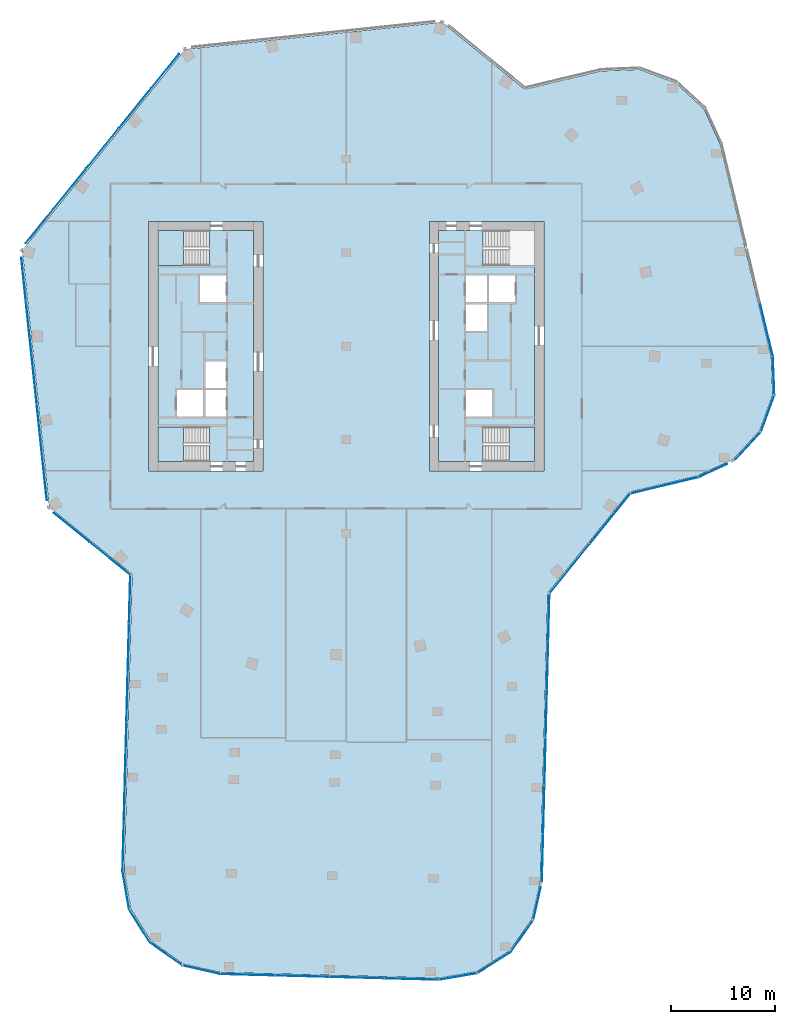
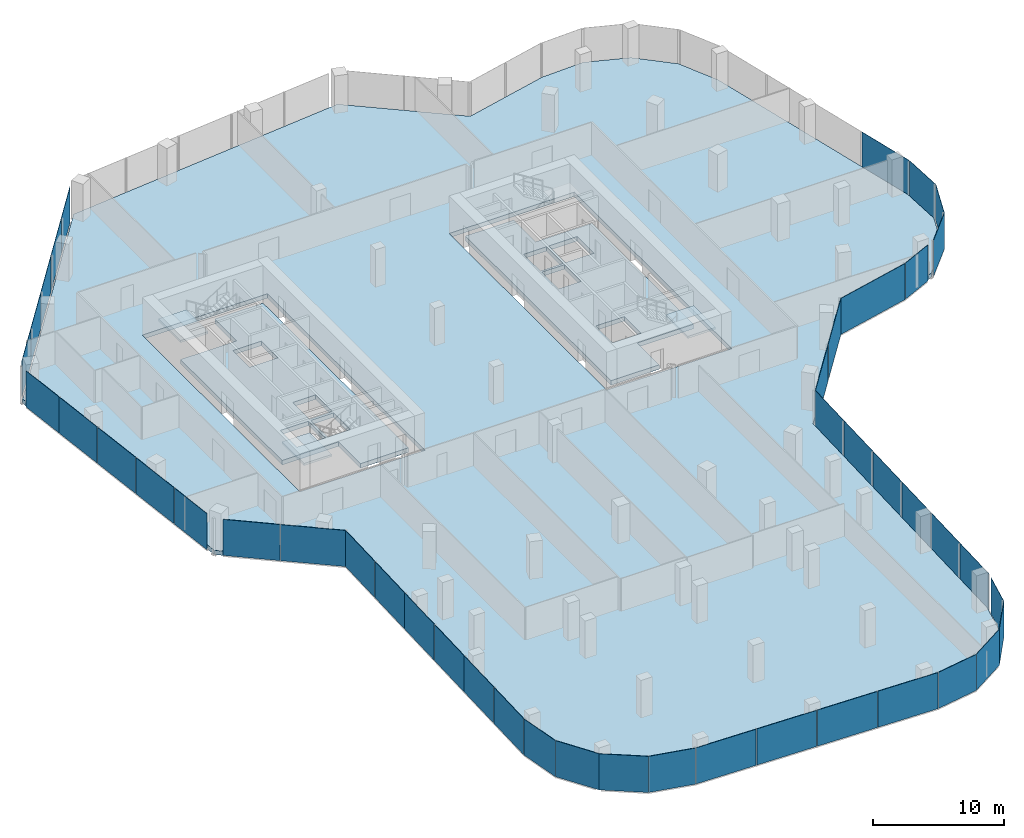
# One storey, part 18 of 26: 44 plates, 6 slabs, 24 elements without a shape of their own.
"""IFC4 building model written with IfcOpenShell, lengths in metres."""

import ifcopenshell
import ifcopenshell.guid

model = None  # the IFC model being written
_history = None  # IfcOwnerHistory: only IFC2X3 demands one
_inside = {}  # id of a spatial element -> (the spatial element, [elements in it])
_under = {}  # id of a project, library or spatial element -> (it, [spatial elements below it])
_declared = {}  # id of a project -> (the project, [libraries it declares])
_typed = {}  # id of a type object -> (the type object, [elements of that type])
_made_of = {}  # id of a material, layer set ... -> (it, [elements and type objects made of it])


def new_model(schema):
    """Start an empty IFC model of exactly this schema.

    Asked for "IFC4X3", IfcOpenShell would pick the latest addendum, in which some entities
    have other attributes; the version numbers below select the first issue.
    IFC2X3 requires an IfcOwnerHistory on every rooted entity: one is made here for all.
    """
    global model, _history
    if schema == "IFC4X3":
        model = ifcopenshell.file(schema_version=(4, 3, 0, 0))
    else:
        model = ifcopenshell.file(schema=schema)
    _inside.clear()
    _under.clear()
    _declared.clear()
    _typed.clear()
    _made_of.clear()
    _history = None
    if model.schema == "IFC2X3":
        org = make("IfcOrganization", Name="unknown")
        user = make(
            "IfcPersonAndOrganization",
            ThePerson=make("IfcPerson", FamilyName="unknown"),
            TheOrganization=org,
        )
        app = make(
            "IfcApplication",
            ApplicationDeveloper=org,
            Version="unknown",
            ApplicationFullName="unknown",
            ApplicationIdentifier="unknown",
        )
        _history = make(
            "IfcOwnerHistory",
            OwningUser=user,
            OwningApplication=app,
            ChangeAction="ADDED",
            CreationDate=0,
        )
    return model


def make(cls, **values):
    """One entity of the class cls with the attributes given. An attribute that is None is left unset."""
    return model.create_entity(
        cls, **{name: value for name, value in values.items() if value is not None}
    )


def rooted(cls, **values):
    """An entity with a GlobalId (a new one), such as an element, a storey or a relation."""
    return make(cls, GlobalId=ifcopenshell.guid.new(), OwnerHistory=_history, **values)


def si_unit(unit_type, name, prefix=None):
    """IfcSIUnit, for example si_unit("LENGTHUNIT", "METRE", prefix="MILLI")."""
    return make("IfcSIUnit", UnitType=unit_type, Prefix=prefix, Name=name)


def assignment(units):
    """IfcUnitAssignment: the units of a project."""
    return None if units is None else make("IfcUnitAssignment", Units=units)


def point(xyz):
    """IfcCartesianPoint."""
    return None if xyz is None else make("IfcCartesianPoint", Coordinates=xyz)


def direction(xyz):
    """IfcDirection."""
    return None if xyz is None else make("IfcDirection", DirectionRatios=xyz)


def frame(location, z_axis=None, x_axis=None):
    """IfcAxis2Placement3D, a coordinate frame: its origin and axes. An axis left out is left unset."""
    return make(
        "IfcAxis2Placement3D",
        Location=point(location),
        Axis=direction(z_axis),
        RefDirection=direction(x_axis),
    )


def frame_2d(location, x_axis=None):
    """IfcAxis2Placement2D, a coordinate frame in the plane: its origin and x axis."""
    return make(
        "IfcAxis2Placement2D", Location=point(location), RefDirection=direction(x_axis)
    )


def origin():
    """The frame at (0, 0, 0) with its axes left unset."""
    return frame((0.0, 0.0, 0.0))


def origin_2d():
    """The frame at (0, 0) in the plane with its x axis left unset."""
    return frame_2d((0.0, 0.0))


def place(relative_to, where):
    """IfcLocalPlacement: puts the frame where relative to a parent placement (None: the world)."""
    return make(
        "IfcLocalPlacement", PlacementRelTo=relative_to, RelativePlacement=where
    )


def context(
    kind, dimensions, precision=None, world=None, true_north=None, identifier=None
):
    """IfcGeometricRepresentationContext, for example the 3D "Model" context."""
    return make(
        "IfcGeometricRepresentationContext",
        ContextIdentifier=identifier,
        ContextType=kind,
        CoordinateSpaceDimension=dimensions,
        Precision=precision,
        WorldCoordinateSystem=world,
        TrueNorth=true_north,
    )


def subcontext(parent, identifier, kind, view, scale=None):
    """IfcGeometricRepresentationSubContext, for example "Body" below "Model"."""
    return make(
        "IfcGeometricRepresentationSubContext",
        ContextIdentifier=identifier,
        ContextType=kind,
        ParentContext=parent,
        TargetScale=scale,
        TargetView=view,
    )


def project(units=None, contexts=None):
    """IfcProject with its units and contexts."""
    return rooted(
        "IfcProject",
        Name="project",
        RepresentationContexts=contexts,
        UnitsInContext=assignment(units),
    )


def spatial(cls, under=None, at=None, **own):
    """A site, building, storey or space (cls), placed at a placement, below another one or the project."""
    s = rooted(cls, ObjectPlacement=at, **own)
    if under is not None:
        _under.setdefault(under.id(), (under, []))[1].append(s)
    return s


def polyline(points):
    """IfcPolyline through the points."""
    return make("IfcPolyline", Points=[point(p) for p in points])


def profile(cls, at=None, kind="AREA", **sizes):
    """A parametric profile (cls). Its sizes go by their IFC names, for example OverallWidth=200.0."""
    return make(cls, ProfileType=kind, Position=at, **sizes)


def rectangle(**sizes):
    """IfcRectangleProfileDef."""
    return profile("IfcRectangleProfileDef", **sizes)


def outline(outer, holes=None, kind="AREA"):
    """IfcArbitraryClosedProfileDef: a profile drawn as a closed curve; with holes, ...WithVoids."""
    if holes is None:
        return make("IfcArbitraryClosedProfileDef", ProfileType=kind, OuterCurve=outer)
    return make(
        "IfcArbitraryProfileDefWithVoids",
        ProfileType=kind,
        OuterCurve=outer,
        InnerCurves=holes,
    )


def extrude(swept, where, along, depth):
    """IfcExtrudedAreaSolid: the profile swept, set in the frame where, extruded along a direction by depth."""
    return make(
        "IfcExtrudedAreaSolid",
        SweptArea=swept,
        Position=where,
        ExtrudedDirection=direction(along),
        Depth=depth,
    )


def shape(context_of_items, identifier, shape_type, items):
    """IfcShapeRepresentation: the items that make up one representation, for example the "Body"."""
    return make(
        "IfcShapeRepresentation",
        ContextOfItems=context_of_items,
        RepresentationIdentifier=identifier,
        RepresentationType=shape_type,
        Items=items,
    )


def material(Name=None, Category=None):
    """IfcMaterial."""
    return make("IfcMaterial", Name=Name, Category=Category)


def layer(
    of_material, thickness, ventilated=None, Name=None, Category=None, Priority=None
):
    """IfcMaterialLayer: one layer of a wall or slab, of a material (None: an air gap)."""
    return make(
        "IfcMaterialLayer",
        Material=of_material,
        LayerThickness=thickness,
        IsVentilated=ventilated,
        Name=Name,
        Category=Category,
        Priority=Priority,
    )


def layer_set(layers, Name=None):
    """IfcMaterialLayerSet."""
    return make("IfcMaterialLayerSet", MaterialLayers=layers, LayerSetName=Name)


def made_of(thing, what):
    """Note that an element or type object is made of a material, layer set ...; save() writes the relation."""
    if what is not None:
        _made_of.setdefault(what.id(), (what, []))[1].append(thing)
    return thing


def type_object(cls, material=None, **own):
    """A type object (cls), such as IfcWallType, which elements share."""
    return made_of(rooted(cls, **own), material)


def element(
    cls,
    number,
    at=None,
    inside=None,
    cuts=None,
    type_object=None,
    material=None,
    context=None,
    identifier="Body",
    shape_type=None,
    held_by="IfcProductDefinitionShape",
    body=None,
    shapes=None,
    **own,
):
    """One element of the class cls, such as IfcWall. Its Tag is "e" and its number.

    at: its placement. inside: the storey or other place that contains it. cuts: it is an
    opening in that element (IfcRelVoidsElement). A single representation is given by context,
    identifier, shape_type and body (its items); several are given by shapes. held_by: the class
    of the entity that holds the representations. save() writes the other relations.
    """
    e = rooted(cls, Tag="e%d" % number, ObjectPlacement=at, **own)
    if body is not None:
        shapes = [shape(context, identifier, shape_type, body)]
    if shapes is not None:
        e.Representation = make(held_by, Representations=shapes)
    if inside is not None:
        _inside.setdefault(inside.id(), (inside, []))[1].append(e)
    if cuts is not None:
        rooted(
            "IfcRelVoidsElement", RelatingBuildingElement=cuts, RelatedOpeningElement=e
        )
    if type_object is not None:
        _typed.setdefault(type_object.id(), (type_object, []))[1].append(e)
    return made_of(e, material)


def aggregate(whole, parts):
    """IfcRelAggregates: a whole, such as a stair, and the parts it consists of."""
    return rooted("IfcRelAggregates", RelatingObject=whole, RelatedObjects=parts)


def save(model, path):
    """Write the relations noted so far, then the file.

    IfcRelAggregates (storeys below a building ...), IfcRelContainedInSpatialStructure (elements
    in a storey), IfcRelDefinesByType, IfcRelAssociatesMaterial and IfcRelDeclares: one each for
    every whole, place, type object, material and project.
    """
    for whole, parts in _under.values():
        aggregate(whole, parts)
    for where, things in _inside.values():
        rooted(
            "IfcRelContainedInSpatialStructure",
            RelatedElements=things,
            RelatingStructure=where,
        )
    for kind, things in _typed.values():
        rooted("IfcRelDefinesByType", RelatedObjects=things, RelatingType=kind)
    for what, things in _made_of.values():
        rooted("IfcRelAssociatesMaterial", RelatedObjects=things, RelatingMaterial=what)
    for by, libraries in _declared.values():
        rooted("IfcRelDeclares", RelatingContext=by, RelatedDefinitions=libraries)
    model.write(path)


model = new_model("IFC4")

# Units and contexts
model_context = context("Model", 3, precision=1e-05, world=origin(), true_north=direction((0.0, 1.0)))
body_context = subcontext(model_context, "Body", "Model", "MODEL_VIEW")
ifc_project = project(units=[si_unit("LENGTHUNIT", "METRE"), si_unit("AREAUNIT", "SQUARE_METRE"), si_unit("VOLUMEUNIT", "CUBIC_METRE"), si_unit("PLANEANGLEUNIT", "RADIAN"), si_unit("MASSUNIT", "GRAM", prefix="KILO")], contexts=[model_context])

# Site, building, storey
site_placement = place(None, origin())
site = spatial("IfcSite", under=ifc_project, at=site_placement, CompositionType="ELEMENT")
building_placement = place(site_placement, origin())
building = spatial("IfcBuilding", under=site, at=building_placement, Name="Orlundy Tower", CompositionType="ELEMENT")
storey_placement = place(building_placement, frame((0.0, 0.0, 214.0)))
storey = spatial("IfcBuildingStorey", under=building, at=storey_placement, Name="L56", CompositionType="ELEMENT", Elevation=214.0)

# Curtain wall, plates
ifc_material_1 = material(Name="Aluminium bronze anodised", Category="aluminium")
curtain_wall_type = type_object("IfcCurtainWallType", Name="CW1 wall", PredefinedType="NOTDEFINED", material=ifc_material_1)
curtain_wall_1_placement = place(storey_placement, origin())
curtain_wall_1 = element("IfcCurtainWall", 1, at=curtain_wall_1_placement, inside=storey, type_object=curtain_wall_type, Name="CW1 run 00", PredefinedType="NOTDEFINED")
ifc_material_2 = material(Name="Tinted glass", Category="glass")
ifc_layer_1 = layer(ifc_material_2, 0.031982421875)
ifc_layer_set_1 = layer_set([ifc_layer_1], Name="CW1 glass panel 32")
plate_type = type_object("IfcPlateType", Name="CW1 glass panel 32", PredefinedType="CURTAIN_PANEL", material=ifc_layer_set_1)
plate_1_placement = place(storey_placement, frame((-21.429931640625, -48.085693359375, -0.2802734375), z_axis=(0.0, 0.0, 1.0), x_axis=(0.026180414199, 0.999657234212, 0.0)))
plate_1 = element("IfcPlate", 2, at=plate_1_placement, type_object=plate_type, Name="CW1 panel", PredefinedType="CURTAIN_PANEL", context=body_context, shape_type="SweptSolid", body=[
    extrude(rectangle(XDim=4.721435546875, YDim=0.031982421875, at=origin_2d()), origin(), (0.0, 0.0, 1.0), 3.360107421875),
])
plate_2_placement = place(storey_placement, frame((-21.30517578125, -43.323974609375, -0.2802734375), z_axis=(0.0, 0.0, 1.0), x_axis=(0.026180414199, 0.999657234212, 0.0)))
plate_2 = element("IfcPlate", 3, at=plate_2_placement, type_object=plate_type, Name="CW1 panel", PredefinedType="CURTAIN_PANEL", context=body_context, shape_type="SweptSolid", body=[
    extrude(rectangle(XDim=4.70556640625, YDim=0.031982421875, at=origin_2d()), origin(), (0.0, 0.0, 1.0), 3.360107421875),
])
plate_3_placement = place(storey_placement, frame((-21.1806640625, -38.570068359375, -0.2802734375), z_axis=(0.0, 0.0, 1.0), x_axis=(0.026180414199, 0.999657234212, 0.0)))
plate_3 = element("IfcPlate", 4, at=plate_3_placement, type_object=plate_type, Name="CW1 panel", PredefinedType="CURTAIN_PANEL", context=body_context, shape_type="SweptSolid", body=[
    extrude(rectangle(XDim=4.70556640625, YDim=0.031982421875, at=origin_2d()), origin(), (0.0, 0.0, 1.0), 3.360107421875),
])
plate_4_placement = place(storey_placement, frame((-21.05615234375, -33.81640625, -0.2802734375), z_axis=(0.0, 0.0, 1.0), x_axis=(0.026180414199, 0.999657234212, 0.0)))
plate_4 = element("IfcPlate", 5, at=plate_4_placement, type_object=plate_type, Name="CW1 panel", PredefinedType="CURTAIN_PANEL", context=body_context, shape_type="SweptSolid", body=[
    extrude(rectangle(XDim=4.70556640625, YDim=0.031982421875, at=origin_2d()), origin(), (0.0, 0.0, 1.0), 3.360107421875),
])
plate_5_placement = place(storey_placement, frame((-20.931640625, -29.0625, -0.2802734375), z_axis=(0.0, 0.0, 1.0), x_axis=(0.026180414199, 0.999657234212, 0.0)))
plate_5 = element("IfcPlate", 6, at=plate_5_placement, type_object=plate_type, Name="CW1 panel", PredefinedType="CURTAIN_PANEL", context=body_context, shape_type="SweptSolid", body=[
    extrude(rectangle(XDim=4.70556640625, YDim=0.031982421875, at=origin_2d()), origin(), (0.0, 0.0, 1.0), 3.360107421875),
])
plate_6_placement = place(storey_placement, frame((-20.807861328125, -24.336669921875, -0.2802734375), z_axis=(0.0, 0.0, 1.0), x_axis=(0.026180414199, 0.999657234212, 0.0)))
plate_6 = element("IfcPlate", 7, at=plate_6_placement, type_object=plate_type, Name="CW1 panel", PredefinedType="CURTAIN_PANEL", context=body_context, shape_type="SweptSolid", body=[
    extrude(rectangle(XDim=4.649658203125, YDim=0.031982421875, at=origin_2d()), origin(), (0.0, 0.0, 1.0), 3.360107421875),
])
aggregate(curtain_wall_1, [plate_1, plate_2, plate_3, plate_4, plate_5, plate_6])

curtain_wall_2_placement = place(storey_placement, origin())
curtain_wall_2 = element("IfcCurtainWall", 8, at=curtain_wall_2_placement, inside=storey, type_object=curtain_wall_type, Name="CW1 run 01", PredefinedType="NOTDEFINED")
plate_7_placement = place(storey_placement, frame((-22.69482421875, -20.435302734375, -0.2802734375), z_axis=(0.0, 0.0, 1.0), x_axis=(-0.77717662091, 0.629282527892, 0.0)))
plate_7 = element("IfcPlate", 9, at=plate_7_placement, type_object=plate_type, Name="CW1 panel", PredefinedType="CURTAIN_PANEL", context=body_context, shape_type="SweptSolid", body=[
    extrude(rectangle(XDim=5.0126953125, YDim=0.031982421875, at=origin_2d()), origin(), (0.0, 0.0, 1.0), 3.360107421875),
])
plate_8_placement = place(storey_placement, frame((-26.38232421875, -17.44970703125, -0.2802734375), z_axis=(0.0, 0.0, 1.0), x_axis=(-0.77717662091, 0.629282527892, 0.0)))
plate_8 = element("IfcPlate", 10, at=plate_8_placement, type_object=plate_type, Name="CW1 panel", PredefinedType="CURTAIN_PANEL", context=body_context, shape_type="SweptSolid", body=[
    extrude(rectangle(XDim=4.376708984375, YDim=0.031982421875, at=origin_2d()), origin(), (0.0, 0.0, 1.0), 3.360107421875),
])
aggregate(curtain_wall_2, [plate_7, plate_8])

curtain_wall_3_placement = place(storey_placement, origin())
curtain_wall_3 = element("IfcCurtainWall", 11, at=curtain_wall_3_placement, inside=storey, type_object=curtain_wall_type, Name="CW1 run 02", PredefinedType="NOTDEFINED")
plate_9_placement = place(storey_placement, frame((-28.99609375, -12.695556640625, -0.2802734375), z_axis=(0.0, 0.0, 1.0), x_axis=(-0.104538162943, 0.994520875843, 0.0)))
plate_9 = element("IfcPlate", 12, at=plate_9_placement, type_object=plate_type, Name="CW1 panel", PredefinedType="CURTAIN_PANEL", context=body_context, shape_type="SweptSolid", body=[
    extrude(rectangle(XDim=4.228759765625, YDim=0.031982421875, at=origin_2d()), origin(), (0.0, 0.0, 1.0), 3.360107421875),
])
plate_10_placement = place(storey_placement, frame((-29.4794921875, -8.096435546875, -0.2802734375), z_axis=(0.0, 0.0, 1.0), x_axis=(-0.104538162943, 0.994520875843, 0.0)))
plate_10 = element("IfcPlate", 13, at=plate_10_placement, type_object=plate_type, Name="CW1 panel", PredefinedType="CURTAIN_PANEL", context=body_context, shape_type="SweptSolid", body=[
    extrude(rectangle(XDim=4.92041015625, YDim=0.031982421875, at=origin_2d()), origin(), (0.0, 0.0, 1.0), 3.360107421875),
])
plate_11_placement = place(storey_placement, frame((-29.9990234375, -3.153076171875, -0.2802734375), z_axis=(0.0, 0.0, 1.0), x_axis=(-0.104538162943, 0.994520875843, 0.0)))
plate_11 = element("IfcPlate", 14, at=plate_11_placement, type_object=plate_type, Name="CW1 panel", PredefinedType="CURTAIN_PANEL", context=body_context, shape_type="SweptSolid", body=[
    extrude(rectangle(XDim=4.92041015625, YDim=0.031982421875, at=origin_2d()), origin(), (0.0, 0.0, 1.0), 3.360107421875),
])
plate_12_placement = place(storey_placement, frame((-30.518798828125, 1.7900390625, -0.2802734375), z_axis=(0.0, 0.0, 1.0), x_axis=(-0.104538162943, 0.994520875843, 0.0)))
plate_12 = element("IfcPlate", 15, at=plate_12_placement, type_object=plate_type, Name="CW1 panel", PredefinedType="CURTAIN_PANEL", context=body_context, shape_type="SweptSolid", body=[
    extrude(rectangle(XDim=4.92041015625, YDim=0.031982421875, at=origin_2d()), origin(), (0.0, 0.0, 1.0), 3.360107421875),
])
plate_13_placement = place(storey_placement, frame((-31.002197265625, 6.3896484375, -0.2802734375), z_axis=(0.0, 0.0, 1.0), x_axis=(-0.104538162943, 0.994520875843, 0.0)))
plate_13 = element("IfcPlate", 16, at=plate_13_placement, type_object=plate_type, Name="CW1 panel", PredefinedType="CURTAIN_PANEL", context=body_context, shape_type="SweptSolid", body=[
    extrude(rectangle(XDim=4.229248046875, YDim=0.031982421875, at=origin_2d()), origin(), (0.0, 0.0, 1.0), 3.360107421875),
])
aggregate(curtain_wall_3, [plate_9, plate_10, plate_11, plate_12, plate_13])

curtain_wall_4_placement = place(storey_placement, origin())
curtain_wall_4 = element("IfcCurtainWall", 17, at=curtain_wall_4_placement, inside=storey, type_object=curtain_wall_type, Name="CW1 run 03", PredefinedType="NOTDEFINED")
plate_14_placement = place(storey_placement, frame((-29.48046875, 11.525634765625, -0.2802734375), z_axis=(0.0, 0.0, 1.0), x_axis=(0.629320911043, 0.777145540374, 0.0)))
plate_14 = element("IfcPlate", 18, at=plate_14_placement, type_object=plate_type, Name="CW1 panel", PredefinedType="CURTAIN_PANEL", context=body_context, shape_type="SweptSolid", body=[
    extrude(rectangle(XDim=4.228271484375, YDim=0.031982421875, at=origin_2d()), origin(), (0.0, 0.0, 1.0), 3.360107421875),
])
plate_15_placement = place(storey_placement, frame((-26.570068359375, 15.11962890625, -0.2802734375), z_axis=(0.0, 0.0, 1.0), x_axis=(0.629320911043, 0.777145540374, 0.0)))
plate_15 = element("IfcPlate", 19, at=plate_15_placement, type_object=plate_type, Name="CW1 panel", PredefinedType="CURTAIN_PANEL", context=body_context, shape_type="SweptSolid", body=[
    extrude(rectangle(XDim=4.920654296875, YDim=0.031982421875, at=origin_2d()), origin(), (0.0, 0.0, 1.0), 3.360107421875),
])
plate_16_placement = place(storey_placement, frame((-23.44189453125, 18.982666015625, -0.2802734375), z_axis=(0.0, 0.0, 1.0), x_axis=(0.629320911043, 0.777145540374, 0.0)))
plate_16 = element("IfcPlate", 20, at=plate_16_placement, type_object=plate_type, Name="CW1 panel", PredefinedType="CURTAIN_PANEL", context=body_context, shape_type="SweptSolid", body=[
    extrude(rectangle(XDim=4.920654296875, YDim=0.031982421875, at=origin_2d()), origin(), (0.0, 0.0, 1.0), 3.360107421875),
])
plate_17_placement = place(storey_placement, frame((-20.313720703125, 22.845703125, -0.2802734375), z_axis=(0.0, 0.0, 1.0), x_axis=(0.629320911043, 0.777145540374, 0.0)))
plate_17 = element("IfcPlate", 21, at=plate_17_placement, type_object=plate_type, Name="CW1 panel", PredefinedType="CURTAIN_PANEL", context=body_context, shape_type="SweptSolid", body=[
    extrude(rectangle(XDim=4.920654296875, YDim=0.031982421875, at=origin_2d()), origin(), (0.0, 0.0, 1.0), 3.360107421875),
])
plate_18_placement = place(storey_placement, frame((-17.4033203125, 26.43994140625, -0.2802734375), z_axis=(0.0, 0.0, 1.0), x_axis=(0.629320911043, 0.777145540374, 0.0)))
plate_18 = element("IfcPlate", 22, at=plate_18_placement, type_object=plate_type, Name="CW1 panel", PredefinedType="CURTAIN_PANEL", context=body_context, shape_type="SweptSolid", body=[
    extrude(rectangle(XDim=4.22900390625, YDim=0.031982421875, at=origin_2d()), origin(), (0.0, 0.0, 1.0), 3.360107421875),
])
aggregate(curtain_wall_4, [plate_14, plate_15, plate_16, plate_17, plate_18])

# Curtain wall, plate
curtain_wall_5_placement = place(storey_placement, origin())
curtain_wall_5 = element("IfcCurtainWall", 23, at=curtain_wall_5_placement, inside=storey, type_object=curtain_wall_type, Name="CW1 run 011", PredefinedType="NOTDEFINED")
plate_19_placement = place(storey_placement, frame((40.408447265625, 1.593994140625, -0.2802734375), z_axis=(0.0, 0.0, 1.0), x_axis=(0.233472005748, -0.972363523859, 0.0)))
plate_19 = element("IfcPlate", 24, at=plate_19_placement, type_object=plate_type, Name="CW1 panel", PredefinedType="CURTAIN_PANEL", context=body_context, shape_type="SweptSolid", body=[
    extrude(rectangle(XDim=5.216064453125, YDim=0.031982421875, at=origin_2d()), origin(), (0.0, 0.0, 1.0), 3.360107421875),
])
aggregate(curtain_wall_5, [plate_19])

curtain_wall_6_placement = place(storey_placement, origin())
curtain_wall_6 = element("IfcCurtainWall", 25, at=curtain_wall_6_placement, inside=storey, type_object=curtain_wall_type, Name="CW1 run 012", PredefinedType="NOTDEFINED")
plate_20_placement = place(storey_placement, frame((41.09716796875, -2.85546875, -0.2802734375), z_axis=(0.0, 0.0, 1.0), x_axis=(0.039116906831, -0.999234640913, 0.0)))
plate_20 = element("IfcPlate", 26, at=plate_20_placement, type_object=plate_type, Name="CW1 panel", PredefinedType="CURTAIN_PANEL", context=body_context, shape_type="SweptSolid", body=[
    extrude(rectangle(XDim=3.73046875, YDim=0.031982421875, at=origin_2d()), origin(), (0.0, 0.0, 1.0), 3.360107421875),
])
aggregate(curtain_wall_6, [plate_20])

curtain_wall_7_placement = place(storey_placement, origin())
curtain_wall_7 = element("IfcCurtainWall", 27, at=curtain_wall_7_placement, inside=storey, type_object=curtain_wall_type, Name="CW1 run 013", PredefinedType="NOTDEFINED")
plate_21_placement = place(storey_placement, frame((40.517333984375, -6.48828125, -0.2802734375), z_axis=(0.0, 0.0, 1.0), x_axis=(-0.346180462863, -0.938167941859, 0.0)))
plate_21 = element("IfcPlate", 28, at=plate_21_placement, type_object=plate_type, Name="CW1 panel", PredefinedType="CURTAIN_PANEL", context=body_context, shape_type="SweptSolid", body=[
    extrude(rectangle(XDim=3.771484375, YDim=0.031982421875, at=origin_2d()), origin(), (0.0, 0.0, 1.0), 3.360107421875),
])
aggregate(curtain_wall_7, [plate_21])

curtain_wall_8_placement = place(storey_placement, origin())
curtain_wall_8 = element("IfcCurtainWall", 29, at=curtain_wall_8_placement, inside=storey, type_object=curtain_wall_type, Name="CW1 run 014", PredefinedType="NOTDEFINED")
plate_22_placement = place(storey_placement, frame((38.58447265625, -9.642333984375, -0.2802734375), z_axis=(0.0, 0.0, 1.0), x_axis=(-0.678772971258, -0.734348182738, 0.0)))
plate_22 = element("IfcPlate", 30, at=plate_22_placement, type_object=plate_type, Name="CW1 panel", PredefinedType="CURTAIN_PANEL", context=body_context, shape_type="SweptSolid", body=[
    extrude(rectangle(XDim=3.77197265625, YDim=0.031982421875, at=origin_2d()), origin(), (0.0, 0.0, 1.0), 3.360107421875),
])
aggregate(curtain_wall_8, [plate_22])

curtain_wall_9_placement = place(storey_placement, origin())
curtain_wall_9 = element("IfcCurtainWall", 31, at=curtain_wall_9_placement, inside=storey, type_object=curtain_wall_type, Name="CW1 run 015", PredefinedType="NOTDEFINED")
plate_23_placement = place(storey_placement, frame((35.26708984375, -11.966552734375, -0.2802734375), z_axis=(0.0, 0.0, 1.0), x_axis=(-0.908117246595, -0.418715973467, 0.0)))
plate_23 = element("IfcPlate", 32, at=plate_23_placement, type_object=plate_type, Name="CW1 panel", PredefinedType="CURTAIN_PANEL", context=body_context, shape_type="SweptSolid", body=[
    extrude(rectangle(XDim=2.973876953125, YDim=0.031982421875, at=origin_2d()), origin(), (0.0, 0.0, 1.0), 3.360107421875),
])
aggregate(curtain_wall_9, [plate_23])

curtain_wall_10_placement = place(storey_placement, origin())
curtain_wall_10 = element("IfcCurtainWall", 33, at=curtain_wall_10_placement, inside=storey, type_object=curtain_wall_type, Name="CW1 run 016", PredefinedType="NOTDEFINED")
plate_24_placement = place(storey_placement, frame((30.6025390625, -13.39013671875, -0.2802734375), z_axis=(0.0, 0.0, 1.0), x_axis=(-0.972363214149, -0.233473295624, 0.0)))
plate_24 = element("IfcPlate", 34, at=plate_24_placement, type_object=plate_type, Name="CW1 panel", PredefinedType="CURTAIN_PANEL", context=body_context, shape_type="SweptSolid", body=[
    extrude(rectangle(XDim=6.719970703125, YDim=0.031982421875, at=origin_2d()), origin(), (0.0, 0.0, 1.0), 3.360107421875),
])
aggregate(curtain_wall_10, [plate_24])

# Curtain wall, plates
curtain_wall_11_placement = place(storey_placement, origin())
curtain_wall_11 = element("IfcCurtainWall", 35, at=curtain_wall_11_placement, inside=storey, type_object=curtain_wall_type, Name="CW1 run 017", PredefinedType="NOTDEFINED")
plate_25_placement = place(storey_placement, frame((25.396240234375, -16.56884765625, -0.2802734375), z_axis=(0.0, 0.0, 1.0), x_axis=(-0.629352582823, -0.777119891969, 0.0)))
plate_25 = element("IfcPlate", 36, at=plate_25_placement, type_object=plate_type, Name="CW1 panel", PredefinedType="CURTAIN_PANEL", context=body_context, shape_type="SweptSolid", body=[
    extrude(rectangle(XDim=6.162353515625, YDim=0.031982421875, at=origin_2d()), origin(), (0.0, 0.0, 1.0), 3.360107421875),
])
plate_26_placement = place(storey_placement, frame((21.486572265625, -21.396484375, -0.2802734375), z_axis=(0.0, 0.0, 1.0), x_axis=(-0.629352582823, -0.777119891969, 0.0)))
plate_26 = element("IfcPlate", 37, at=plate_26_placement, type_object=plate_type, Name="CW1 panel", PredefinedType="CURTAIN_PANEL", context=body_context, shape_type="SweptSolid", body=[
    extrude(rectangle(XDim=6.162353515625, YDim=0.031982421875, at=origin_2d()), origin(), (0.0, 0.0, 1.0), 3.360107421875),
])
aggregate(curtain_wall_11, [plate_25, plate_26])

curtain_wall_12_placement = place(storey_placement, origin())
curtain_wall_12 = element("IfcCurtainWall", 38, at=curtain_wall_12_placement, inside=storey, type_object=curtain_wall_type, Name="CW1 run 018", PredefinedType="NOTDEFINED")
plate_27_placement = place(storey_placement, frame((19.488037109375, -26.065185546875, -0.2802734375), z_axis=(0.0, 0.0, 1.0), x_axis=(-0.026165655813, -0.999657620616, 0.0)))
plate_27 = element("IfcPlate", 39, at=plate_27_placement, type_object=plate_type, Name="CW1 panel", PredefinedType="CURTAIN_PANEL", context=body_context, shape_type="SweptSolid", body=[
    extrude(rectangle(XDim=4.550048828125, YDim=0.031982421875, at=origin_2d()), origin(), (0.0, 0.0, 1.0), 3.360107421875),
])
plate_28_placement = place(storey_placement, frame((19.3671875, -30.678955078125, -0.2802734375), z_axis=(0.0, 0.0, 1.0), x_axis=(-0.026165655813, -0.999657620616, 0.0)))
plate_28 = element("IfcPlate", 40, at=plate_28_placement, type_object=plate_type, Name="CW1 panel", PredefinedType="CURTAIN_PANEL", context=body_context, shape_type="SweptSolid", body=[
    extrude(rectangle(XDim=4.580810546875, YDim=0.031982421875, at=origin_2d()), origin(), (0.0, 0.0, 1.0), 3.360107421875),
])
plate_29_placement = place(storey_placement, frame((19.24609375, -35.30810546875, -0.2802734375), z_axis=(0.0, 0.0, 1.0), x_axis=(-0.026165655813, -0.999657620616, 0.0)))
plate_29 = element("IfcPlate", 41, at=plate_29_placement, type_object=plate_type, Name="CW1 panel", PredefinedType="CURTAIN_PANEL", context=body_context, shape_type="SweptSolid", body=[
    extrude(rectangle(XDim=4.580810546875, YDim=0.031982421875, at=origin_2d()), origin(), (0.0, 0.0, 1.0), 3.360107421875),
])
plate_30_placement = place(storey_placement, frame((19.124755859375, -39.937255859375, -0.2802734375), z_axis=(0.0, 0.0, 1.0), x_axis=(-0.026165655813, -0.999657620616, 0.0)))
plate_30 = element("IfcPlate", 42, at=plate_30_placement, type_object=plate_type, Name="CW1 panel", PredefinedType="CURTAIN_PANEL", context=body_context, shape_type="SweptSolid", body=[
    extrude(rectangle(XDim=4.580810546875, YDim=0.031982421875, at=origin_2d()), origin(), (0.0, 0.0, 1.0), 3.360107421875),
])
plate_31_placement = place(storey_placement, frame((19.003662109375, -44.566650390625, -0.2802734375), z_axis=(0.0, 0.0, 1.0), x_axis=(-0.026165655813, -0.999657620616, 0.0)))
plate_31 = element("IfcPlate", 43, at=plate_31_placement, type_object=plate_type, Name="CW1 panel", PredefinedType="CURTAIN_PANEL", context=body_context, shape_type="SweptSolid", body=[
    extrude(rectangle(XDim=4.580810546875, YDim=0.031982421875, at=origin_2d()), origin(), (0.0, 0.0, 1.0), 3.360107421875),
])
plate_32_placement = place(storey_placement, frame((18.88232421875, -49.20361328125, -0.2802734375), z_axis=(0.0, 0.0, 1.0), x_axis=(-0.026165655813, -0.999657620616, 0.0)))
plate_32 = element("IfcPlate", 44, at=plate_32_placement, type_object=plate_type, Name="CW1 panel", PredefinedType="CURTAIN_PANEL", context=body_context, shape_type="SweptSolid", body=[
    extrude(rectangle(XDim=4.5966796875, YDim=0.031982421875, at=origin_2d()), origin(), (0.0, 0.0, 1.0), 3.360107421875),
])
aggregate(curtain_wall_12, [plate_27, plate_28, plate_29, plate_30, plate_31, plate_32])

# Curtain wall, plate
curtain_wall_13_placement = place(storey_placement, origin())
curtain_wall_13 = element("IfcCurtainWall", 45, at=curtain_wall_13_placement, inside=storey, type_object=curtain_wall_type, Name="CW1 run 019", PredefinedType="NOTDEFINED")
plate_33_placement = place(storey_placement, frame((18.350830078125, -53.6064453125, -0.2802734375), z_axis=(0.0, 0.0, 1.0), x_axis=(-0.220699748267, -0.975341797072, 0.0)))
plate_33 = element("IfcPlate", 46, at=plate_33_placement, type_object=plate_type, Name="CW1 panel", PredefinedType="CURTAIN_PANEL", context=body_context, shape_type="SweptSolid", body=[
    extrude(rectangle(XDim=3.2451171875, YDim=0.031982421875, at=origin_2d()), origin(), (0.0, 0.0, 1.0), 3.360107421875),
])
aggregate(curtain_wall_13, [plate_33])

curtain_wall_14_placement = place(storey_placement, origin())
curtain_wall_14 = element("IfcCurtainWall", 47, at=curtain_wall_14_placement, inside=storey, type_object=curtain_wall_type, Name="CW1 run 020", PredefinedType="NOTDEFINED")
plate_34_placement = place(storey_placement, frame((16.904541015625, -56.729248046875, -0.2802734375), z_axis=(0.0, 0.0, 1.0), x_axis=(-0.577096231381, -0.816676153518, 0.0)))
plate_34 = element("IfcPlate", 48, at=plate_34_placement, type_object=plate_type, Name="CW1 panel", PredefinedType="CURTAIN_PANEL", context=body_context, shape_type="SweptSolid", body=[
    extrude(rectangle(XDim=3.771728515625, YDim=0.031982421875, at=origin_2d()), origin(), (0.0, 0.0, 1.0), 3.360107421875),
])
aggregate(curtain_wall_14, [plate_34])

curtain_wall_15_placement = place(storey_placement, origin())
curtain_wall_15 = element("IfcCurtainWall", 49, at=curtain_wall_15_placement, inside=storey, type_object=curtain_wall_type, Name="CW1 run 021", PredefinedType="NOTDEFINED")
plate_35_placement = place(storey_placement, frame((14.220947265625, -59.275634765625, -0.2802734375), z_axis=(0.0, 0.0, 1.0), x_axis=(-0.845732410351, -0.533607243282, 0.0)))
plate_35 = element("IfcPlate", 50, at=plate_35_placement, type_object=plate_type, Name="CW1 panel", PredefinedType="CURTAIN_PANEL", context=body_context, shape_type="SweptSolid", body=[
    extrude(rectangle(XDim=3.77197265625, YDim=0.031982421875, at=origin_2d()), origin(), (0.0, 0.0, 1.0), 3.360107421875),
])
aggregate(curtain_wall_15, [plate_35])

curtain_wall_16_placement = place(storey_placement, origin())
curtain_wall_16 = element("IfcCurtainWall", 51, at=curtain_wall_16_placement, inside=storey, type_object=curtain_wall_type, Name="CW1 run 022", PredefinedType="NOTDEFINED")
plate_36_placement = place(storey_placement, frame((10.787841796875, -60.59814453125, -0.2802734375), z_axis=(0.0, 0.0, 1.0), x_axis=(-0.985542556373, -0.169428066085, 0.0)))
plate_36 = element("IfcPlate", 52, at=plate_36_placement, type_object=plate_type, Name="CW1 panel", PredefinedType="CURTAIN_PANEL", context=body_context, shape_type="SweptSolid", body=[
    extrude(rectangle(XDim=3.730224609375, YDim=0.031982421875, at=origin_2d()), origin(), (0.0, 0.0, 1.0), 3.360107421875),
])
aggregate(curtain_wall_16, [plate_36])

# Curtain wall, plates
curtain_wall_17_placement = place(storey_placement, origin())
curtain_wall_17 = element("IfcCurtainWall", 53, at=curtain_wall_17_placement, inside=storey, type_object=curtain_wall_type, Name="CW1 run 023", PredefinedType="NOTDEFINED")
plate_37_placement = place(storey_placement, frame((6.29248046875, -60.849365234375, -0.2802734375), z_axis=(0.0, 0.0, 1.0), x_axis=(-0.999656977295, 0.026190222342, 0.0)))
plate_37 = element("IfcPlate", 54, at=plate_37_placement, type_object=plate_type, Name="CW1 panel", PredefinedType="CURTAIN_PANEL", context=body_context, shape_type="SweptSolid", body=[
    extrude(rectangle(XDim=5.216064453125, YDim=0.031982421875, at=origin_2d()), origin(), (0.0, 0.0, 1.0), 3.360107421875),
])
plate_38_placement = place(storey_placement, frame((1.036376953125, -60.711669921875, -0.2802734375), z_axis=(0.0, 0.0, 1.0), x_axis=(-0.999656977295, 0.026190222342, 0.0)))
plate_38 = element("IfcPlate", 55, at=plate_38_placement, type_object=plate_type, Name="CW1 panel", PredefinedType="CURTAIN_PANEL", context=body_context, shape_type="SweptSolid", body=[
    extrude(rectangle(XDim=5.199951171875, YDim=0.031982421875, at=origin_2d()), origin(), (0.0, 0.0, 1.0), 3.360107421875),
])
plate_39_placement = place(storey_placement, frame((-4.2119140625, -60.57421875, -0.2802734375), z_axis=(0.0, 0.0, 1.0), x_axis=(-0.999656977295, 0.026190222342, 0.0)))
plate_39 = element("IfcPlate", 56, at=plate_39_placement, type_object=plate_type, Name="CW1 panel", PredefinedType="CURTAIN_PANEL", context=body_context, shape_type="SweptSolid", body=[
    extrude(rectangle(XDim=5.199951171875, YDim=0.031982421875, at=origin_2d()), origin(), (0.0, 0.0, 1.0), 3.360107421875),
])
plate_40_placement = place(storey_placement, frame((-9.46826171875, -60.4365234375, -0.2802734375), z_axis=(0.0, 0.0, 1.0), x_axis=(-0.999656977295, 0.026190222342, 0.0)))
plate_40 = element("IfcPlate", 57, at=plate_40_placement, type_object=plate_type, Name="CW1 panel", PredefinedType="CURTAIN_PANEL", context=body_context, shape_type="SweptSolid", body=[
    extrude(rectangle(XDim=5.216064453125, YDim=0.031982421875, at=origin_2d()), origin(), (0.0, 0.0, 1.0), 3.360107421875),
])
aggregate(curtain_wall_17, [plate_37, plate_38, plate_39, plate_40])

# Curtain wall, plate
curtain_wall_18_placement = place(storey_placement, origin())
curtain_wall_18 = element("IfcCurtainWall", 58, at=curtain_wall_18_placement, inside=storey, type_object=curtain_wall_type, Name="CW1 run 024", PredefinedType="NOTDEFINED")
plate_41_placement = place(storey_placement, frame((-13.944091796875, -59.950439453125, -0.2802734375), z_axis=(0.0, 0.0, 1.0), x_axis=(-0.975341797072, 0.220699748267, 0.0)))
plate_41 = element("IfcPlate", 59, at=plate_41_placement, type_object=plate_type, Name="CW1 panel", PredefinedType="CURTAIN_PANEL", context=body_context, shape_type="SweptSolid", body=[
    extrude(rectangle(XDim=3.72998046875, YDim=0.031982421875, at=origin_2d()), origin(), (0.0, 0.0, 1.0), 3.360107421875),
])
aggregate(curtain_wall_18, [plate_41])

curtain_wall_19_placement = place(storey_placement, origin())
curtain_wall_19 = element("IfcCurtainWall", 60, at=curtain_wall_19_placement, inside=storey, type_object=curtain_wall_type, Name="CW1 run 025", PredefinedType="NOTDEFINED")
plate_42_placement = place(storey_placement, frame((-17.30322265625, -58.450439453125, -0.2802734375), z_axis=(0.0, 0.0, 1.0), x_axis=(-0.816676153518, 0.577096231381, 0.0)))
plate_42 = element("IfcPlate", 61, at=plate_42_placement, type_object=plate_type, Name="CW1 panel", PredefinedType="CURTAIN_PANEL", context=body_context, shape_type="SweptSolid", body=[
    extrude(rectangle(XDim=3.771728515625, YDim=0.031982421875, at=origin_2d()), origin(), (0.0, 0.0, 1.0), 3.360107421875),
])
aggregate(curtain_wall_19, [plate_42])

curtain_wall_20_placement = place(storey_placement, origin())
curtain_wall_20 = element("IfcCurtainWall", 62, at=curtain_wall_20_placement, inside=storey, type_object=curtain_wall_type, Name="CW1 run 026", PredefinedType="NOTDEFINED")
plate_43_placement = place(storey_placement, frame((-19.849609375, -55.76708984375, -0.2802734375), z_axis=(0.0, 0.0, 1.0), x_axis=(-0.533607243282, 0.845732410351, 0.0)))
plate_43 = element("IfcPlate", 63, at=plate_43_placement, type_object=plate_type, Name="CW1 panel", PredefinedType="CURTAIN_PANEL", context=body_context, shape_type="SweptSolid", body=[
    extrude(rectangle(XDim=3.77197265625, YDim=0.031982421875, at=origin_2d()), origin(), (0.0, 0.0, 1.0), 3.360107421875),
])
aggregate(curtain_wall_20, [plate_43])

curtain_wall_21_placement = place(storey_placement, origin())
curtain_wall_21 = element("IfcCurtainWall", 64, at=curtain_wall_21_placement, inside=storey, type_object=curtain_wall_type, Name="CW1 run 027", PredefinedType="NOTDEFINED")
plate_44_placement = place(storey_placement, frame((-21.172119140625, -52.333740234375, -0.2802734375), z_axis=(0.0, 0.0, 1.0), x_axis=(-0.169428066085, 0.985542556373, 0.0)))
plate_44 = element("IfcPlate", 65, at=plate_44_placement, type_object=plate_type, Name="CW1 panel", PredefinedType="CURTAIN_PANEL", context=body_context, shape_type="SweptSolid", body=[
    extrude(rectangle(XDim=3.730224609375, YDim=0.031982421875, at=origin_2d()), origin(), (0.0, 0.0, 1.0), 3.360107421875),
])
aggregate(curtain_wall_21, [plate_44])

# Slabs
ifc_material_3 = material(Name="Concrete C50/60", Category="concrete")
ifc_layer_2 = layer(ifc_material_3, 0.409912109375)
ifc_layer_set_2 = layer_set([ifc_layer_2], Name="Core Floor Slab 410")
slab_type_1 = type_object("IfcSlabType", Name="Core Floor Slab 410", PredefinedType="FLOOR", material=ifc_layer_set_2)
slab_1_placement = place(storey_placement, frame((0.0, 0.0, -0.409912109375)))
element("IfcSlab", 66, at=slab_1_placement, inside=storey, type_object=slab_type_1, Name="Core floor W43", PredefinedType="FLOOR", context=body_context, shape_type="SweptSolid", body=[
    extrude(outline(polyline([(-18.10009765625, 7.75), (-13.14501953125, 7.75), (-13.14501953125, 11.10009765625), (-8.89990234375, 11.10009765625), (-8.89990234375, -11.10009765625), (-13.14501953125, -11.10009765625), (-13.14501953125, -7.75), (-18.10009765625, -7.75), (-18.10009765625, 7.75)]), holes=[polyline([(-13.5400390625, -4.22509765625), (-13.5400390625, -6.77490234375), (-11.5400390625, -6.77490234375), (-11.5400390625, -4.22509765625), (-13.5400390625, -4.22509765625)]), polyline([(-13.739990234375, -4.22509765625), (-16.239990234375, -4.22509765625), (-16.239990234375, -6.77490234375), (-13.739990234375, -6.77490234375), (-13.739990234375, -4.22509765625)]), polyline([(-11.5400390625, -4.02490234375), (-11.5400390625, -1.47509765625), (-13.5400390625, -1.47509765625), (-13.5400390625, -4.02490234375), (-11.5400390625, -4.02490234375)]), polyline([(-14.0400390625, 4.22509765625), (-11.5400390625, 4.22509765625), (-11.5400390625, 6.77490234375), (-14.0400390625, 6.77490234375), (-14.0400390625, 4.22509765625)])]), origin(), (0.0, 0.0, 1.0), 0.409912109375),
])
slab_2_placement = place(storey_placement, frame((0.0, 0.0, -0.409912109375)))
element("IfcSlab", 67, at=slab_2_placement, inside=storey, type_object=slab_type_1, Name="Core floor E43", PredefinedType="FLOOR", context=body_context, shape_type="SweptSolid", body=[
    extrude(outline(polyline([(18.10009765625, -7.75), (13.14501953125, -7.75), (13.14501953125, -11.10009765625), (8.89990234375, -11.10009765625), (8.89990234375, 11.10009765625), (13.14501953125, 11.10009765625), (13.14501953125, 7.75), (18.10009765625, 7.75), (18.10009765625, -7.75)]), holes=[polyline([(13.5400390625, 4.22509765625), (13.5400390625, 6.77490234375), (11.5400390625, 6.77490234375), (11.5400390625, 4.22509765625), (13.5400390625, 4.22509765625)]), polyline([(13.739990234375, 4.22509765625), (16.239990234375, 4.22509765625), (16.239990234375, 6.77490234375), (13.739990234375, 6.77490234375), (13.739990234375, 4.22509765625)]), polyline([(11.5400390625, 4.02490234375), (11.5400390625, 1.47509765625), (13.5400390625, 1.47509765625), (13.5400390625, 4.02490234375), (11.5400390625, 4.02490234375)]), polyline([(14.0400390625, -4.22509765625), (11.5400390625, -4.22509765625), (11.5400390625, -6.77490234375), (14.0400390625, -6.77490234375), (14.0400390625, -4.22509765625)])]), origin(), (0.0, 0.0, 1.0), 0.409912109375),
])

# Stair, slab
ifc_material_4 = material(Name="Concrete C50/60", Category="concrete")
stair_type = type_object("IfcStairType", Name="Exit Stair 20 risers", PredefinedType="HALF_TURN_STAIR", material=ifc_material_4)
stair_1_placement = place(storey_placement, origin())
stair_1 = element("IfcStair", 68, at=stair_1_placement, inside=storey, type_object=stair_type, Name="L56 Exit Stair ST-W1", PredefinedType="HALF_TURN_STAIR")
ifc_material_5 = material(Name="Concrete C50/60", Category="concrete")
ifc_layer_3 = layer(ifc_material_5, 0.199951171875)
ifc_layer_set_3 = layer_set([ifc_layer_3], Name="Exit Stair Landing")
slab_type_2 = type_object("IfcSlabType", Name="Exit Stair Landing", PredefinedType="LANDING", material=ifc_layer_set_3)
slab_3_placement = place(storey_placement, frame((0.0, 0.0, 1.550048828125)))
slab_3 = element("IfcSlab", 69, at=slab_3_placement, type_object=slab_type_2, Name="ST-W1 landing 1", PredefinedType="LANDING", context=body_context, shape_type="SweptSolid", body=[
    extrude(outline(polyline([(-15.659912109375, 11.10009765625), (-18.10009765625, 11.10009765625), (-18.10009765625, 7.75), (-15.659912109375, 7.75), (-15.659912109375, 11.10009765625)])), origin(), (0.0, 0.0, 1.0), 0.199951171875),
])
aggregate(stair_1, [slab_3])

stair_2_placement = place(storey_placement, origin())
stair_2 = element("IfcStair", 70, at=stair_2_placement, inside=storey, type_object=stair_type, Name="L56 Exit Stair ST-W2", PredefinedType="HALF_TURN_STAIR")
slab_4_placement = place(storey_placement, frame((0.0, 0.0, 1.550048828125)))
slab_4 = element("IfcSlab", 71, at=slab_4_placement, type_object=slab_type_2, Name="ST-W2 landing 1", PredefinedType="LANDING", context=body_context, shape_type="SweptSolid", body=[
    extrude(outline(polyline([(-15.659912109375, -7.75), (-18.10009765625, -7.75), (-18.10009765625, -11.10009765625), (-15.659912109375, -11.10009765625), (-15.659912109375, -7.75)])), origin(), (0.0, 0.0, 1.0), 0.199951171875),
])
aggregate(stair_2, [slab_4])

stair_3_placement = place(storey_placement, origin())
stair_3 = element("IfcStair", 72, at=stair_3_placement, inside=storey, type_object=stair_type, Name="L56 Exit Stair ST-E1", PredefinedType="HALF_TURN_STAIR")
slab_5_placement = place(storey_placement, frame((0.0, 0.0, 1.550048828125)))
slab_5 = element("IfcSlab", 73, at=slab_5_placement, type_object=slab_type_2, Name="ST-E1 landing 1", PredefinedType="LANDING", context=body_context, shape_type="SweptSolid", body=[
    extrude(outline(polyline([(15.659912109375, -11.10009765625), (18.10009765625, -11.10009765625), (18.10009765625, -7.75), (15.659912109375, -7.75), (15.659912109375, -11.10009765625)])), origin(), (0.0, 0.0, 1.0), 0.199951171875),
])
aggregate(stair_3, [slab_5])

# Slab
ifc_material_6 = material(Name="Concrete C45/55", Category="concrete")
ifc_layer_4 = layer(ifc_material_6, 0.39990234375)
ifc_layer_set_4 = layer_set([ifc_layer_4], Name="FLOOR SLAB THICK 400 C45/55")
slab_type_3 = type_object("IfcSlabType", Name="FLOOR SLAB THICK 400 C45/55", PredefinedType="FLOOR", material=ifc_layer_set_4)
slab_6_placement = place(storey_placement, frame((0.0, 0.0, -0.39990234375)))
element("IfcSlab", 74, at=slab_6_placement, inside=storey, type_object=slab_type_3, Name="Floor slab L56", PredefinedType="FLOOR", context=body_context, shape_type="SweptSolid", body=[
    extrude(outline(polyline([(-20.5810546875, -21.93603515625), (-28.537109375, -15.493896484375), (-31.135009765625, 9.221923828125), (-15.493896484375, 28.537109375), (9.221923828125, 31.135009765625), (17.177978515625, 24.69189453125), (24.501953125, 26.450927734375), (28.2060546875, 26.595947265625), (31.68408203125, 25.31298828125), (34.406005859375, 22.797119140625), (35.95703125, 19.430908203125), (40.860107421875, -0.989013671875), (41.0048828125, -4.693115234375), (39.721923828125, -8.169921875), (37.2060546875, -10.89208984375), (33.840087890625, -12.444091796875), (27.242919921875, -14.028076171875), (19.385009765625, -23.73095703125), (18.657958984375, -51.506103515625), (17.840087890625, -55.12109375), (15.700927734375, -58.14794921875), (12.56591796875, -60.1259765625), (8.9130859375, -60.75390625), (-12.080078125, -60.2041015625), (-15.695068359375, -59.385986328125), (-18.721923828125, -57.2470703125), (-20.699951171875, -54.112060546875), (-21.327880859375, -50.458984375), (-20.5810546875, -21.93603515625)]), holes=[polyline([(-8.0, -12.0), (-8.0, 12.0), (-19.0, 12.0), (-19.0, -12.0), (-8.0, -12.0)]), polyline([(19.0, -12.0), (19.0, 12.0), (8.0, 12.0), (8.0, -12.0), (19.0, -12.0)])]), origin(), (0.0, 0.0, 1.0), 0.39990234375),
])

save(model, "model.ifc")
